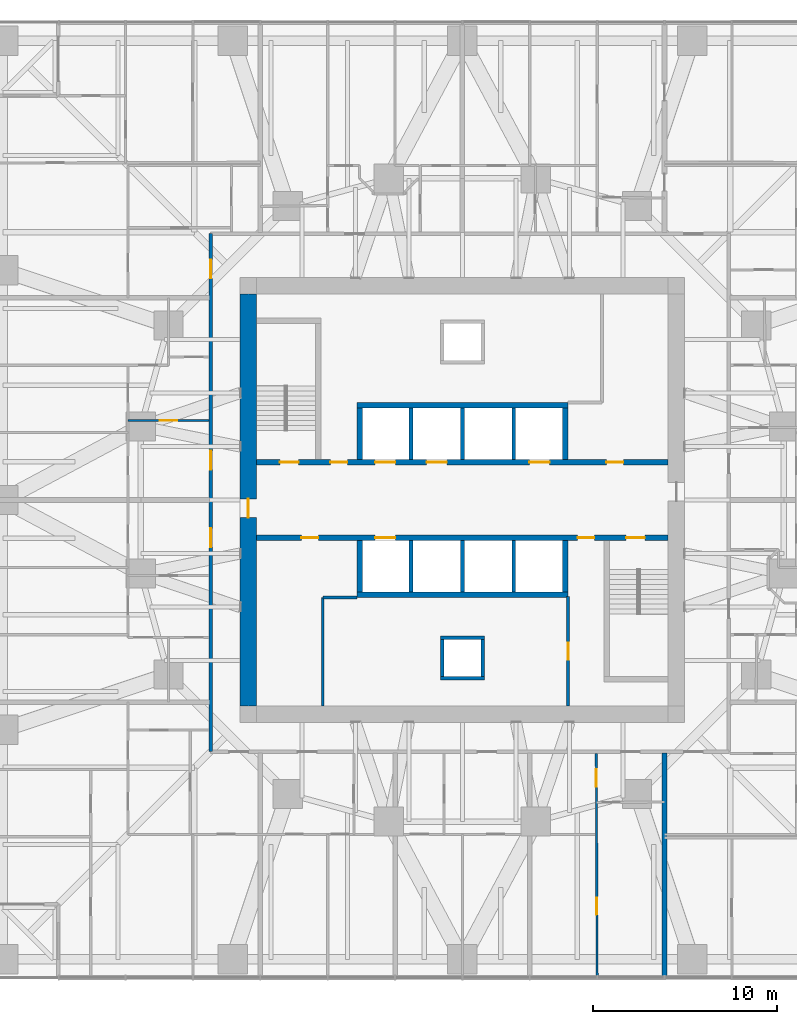
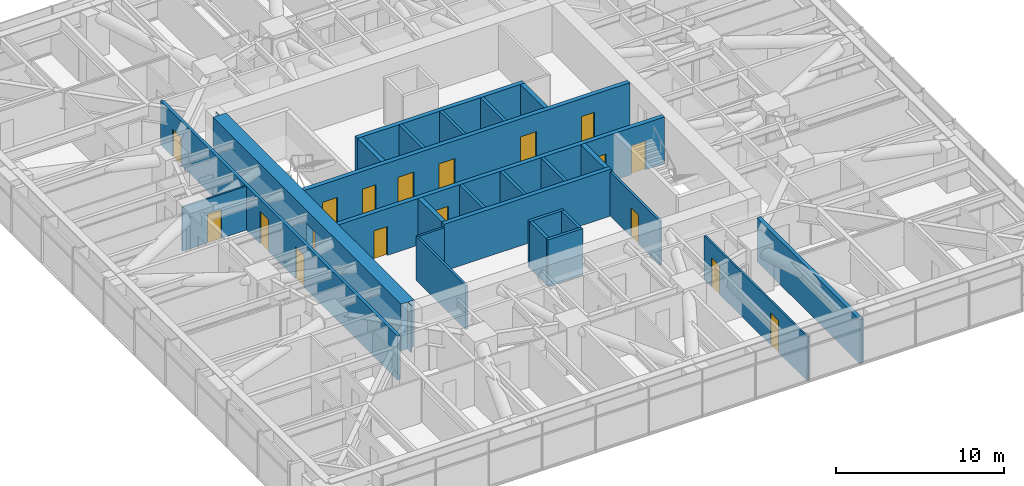
# One storey, part 11 of 17: 26 walls, 18 doors, 18 openings.
"""IFC4 building model written with IfcOpenShell, lengths in metres."""

from ifc_helpers import new_model, si_unit, direction, frame, frame_2d, origin, place, context, subcontext, project, spatial, polyline, rectangle, outline, extrude, material, layer, layer_set, type_object, element, fill, save


model = new_model("IFC4")

# Units and contexts
model_context = context("Model", 3, precision=1e-05, world=origin(), true_north=direction((0.0, 1.0)))
body_context = subcontext(model_context, "Body", "Model", "MODEL_VIEW")
ifc_project = project(units=[si_unit("LENGTHUNIT", "METRE"), si_unit("AREAUNIT", "SQUARE_METRE"), si_unit("VOLUMEUNIT", "CUBIC_METRE"), si_unit("PLANEANGLEUNIT", "RADIAN"), si_unit("MASSUNIT", "GRAM", prefix="KILO")], contexts=[model_context])

# Site, building, storey
site_placement = place(None, origin())
site = spatial("IfcSite", under=ifc_project, at=site_placement, CompositionType="ELEMENT")
building_placement = place(site_placement, origin())
building = spatial("IfcBuilding", under=site, at=building_placement, Name="Torsade Residences", CompositionType="ELEMENT")
storey_placement = place(building_placement, frame((0.0, 0.0, 38.800048828125)))
storey = spatial("IfcBuildingStorey", under=building, at=storey_placement, Name="L10", CompositionType="ELEMENT", Elevation=38.800048828125)

# Wall, openings, doors
ifc_material_1 = material(Name="Concrete 80 MPa", Category="concrete")
ifc_layer_1 = layer(ifc_material_1, 0.300048828125)
ifc_layer_set_1 = layer_set([ifc_layer_1], Name="Concrete 80 MPa")
wall_type_1 = type_object("IfcWallType", Name="CORE INTERNAL WALL 300", PredefinedType="SHEAR", material=ifc_layer_set_1)
wall_1_placement = place(storey_placement, frame((28.800048828125, 32.050048828125, 0.0), z_axis=(0.0, 0.0, 1.0), x_axis=(1.0, 0.0, 0.0)))
wall_1 = element("IfcWall", 1, at=wall_1_placement, inside=storey, type_object=wall_type_1, Name="Core wall LN L10", PredefinedType="SHEAR", context=body_context, shape_type="SweptSolid", body=[
    extrude(rectangle(XDim=22.39990234375, YDim=0.300048828125, at=frame_2d((11.199951171875, 0.0))), origin(), (0.0, 0.0, 1.0), 3.39990234375),
])
opening_1_placement = place(wall_1_placement, frame((19.0400390625, 0.0, 0.0)))
opening_1 = element("IfcOpeningElement", 2, at=opening_1_placement, cuts=wall_1, Name="Opening D06", PredefinedType="OPENING", context=body_context, shape_type="SweptSolid", body=[
    extrude(rectangle(XDim=0.919921875, YDim=2.10009765625, at=frame_2d((0.4599609375, 1.050048828125))), frame((0.0, 0.159912109375, 0.0), z_axis=(0.0, -1.0, 0.0), x_axis=(1.0, 0.0, 0.0)), (0.0, 0.0, 1.0), 0.320068359375),
])
opening_2_placement = place(wall_1_placement, frame((1.264892578125, 0.0, 0.0)))
opening_2 = element("IfcOpeningElement", 3, at=opening_2_placement, cuts=wall_1, Name="Opening D03", PredefinedType="OPENING", context=body_context, shape_type="SweptSolid", body=[
    extrude(rectangle(XDim=1.02001953125, YDim=2.10009765625, at=frame_2d((0.510009765625, 1.050048828125))), frame((0.0, 0.159912109375, 0.0), z_axis=(0.0, -1.0, 0.0), x_axis=(1.0, 0.0, 0.0)), (0.0, 0.0, 1.0), 0.320068359375),
])
opening_3_placement = place(wall_1_placement, frame((4.014892578125, 0.0, 0.0)))
opening_3 = element("IfcOpeningElement", 4, at=opening_3_placement, cuts=wall_1, Name="Opening D06", PredefinedType="OPENING", context=body_context, shape_type="SweptSolid", body=[
    extrude(rectangle(XDim=0.919921875, YDim=2.10009765625, at=frame_2d((0.4599609375, 1.050048828125))), frame((0.0, 0.159912109375, 0.0), z_axis=(0.0, -1.0, 0.0), x_axis=(1.0, 0.0, 0.0)), (0.0, 0.0, 1.0), 0.320068359375),
])
opening_4_placement = place(wall_1_placement, frame((6.449951171875, 0.0, 0.0)))
opening_4 = element("IfcOpeningElement", 5, at=opening_4_placement, cuts=wall_1, Name="Opening LD", PredefinedType="OPENING", context=body_context, shape_type="SweptSolid", body=[
    extrude(rectangle(XDim=1.10009765625, YDim=2.10009765625, at=frame_2d((0.550048828125, 1.050048828125))), frame((0.0, 0.159912109375, 0.0), z_axis=(0.0, -1.0, 0.0), x_axis=(1.0, 0.0, 0.0)), (0.0, 0.0, 1.0), 0.320068359375),
])
opening_5_placement = place(wall_1_placement, frame((9.25, 0.0, 0.0)))
opening_5 = element("IfcOpeningElement", 6, at=opening_5_placement, cuts=wall_1, Name="Opening LD", PredefinedType="OPENING", context=body_context, shape_type="SweptSolid", body=[
    extrude(rectangle(XDim=1.10009765625, YDim=2.10009765625, at=frame_2d((0.550048828125, 1.050048828125))), frame((0.0, 0.159912109375, 0.0), z_axis=(0.0, -1.0, 0.0), x_axis=(1.0, 0.0, 0.0)), (0.0, 0.0, 1.0), 0.320068359375),
])
opening_6_placement = place(wall_1_placement, frame((14.85009765625, 0.0, 0.0)))
opening_6 = element("IfcOpeningElement", 7, at=opening_6_placement, cuts=wall_1, Name="Opening LD", PredefinedType="OPENING", context=body_context, shape_type="SweptSolid", body=[
    extrude(rectangle(XDim=1.10009765625, YDim=2.10009765625, at=frame_2d((0.550048828125, 1.050048828125))), frame((0.0, 0.159912109375, 0.0), z_axis=(0.0, -1.0, 0.0), x_axis=(1.0, 0.0, 0.0)), (0.0, 0.0, 1.0), 0.320068359375),
])
ifc_material_2 = material(Name="Steel-framed fire door", Category="steel")
door_type_1 = type_object("IfcDoorType", Name="FIRE DOOR 1020", OperationType="NOTDEFINED", PredefinedType="DOOR", material=ifc_material_2)
door_1_placement = place(opening_2_placement, origin())
door_1 = element("IfcDoor", 8, at=door_1_placement, inside=storey, type_object=door_type_1, Name="Exit door to fire-isolated stair ST1 L10", OperationType="SINGLE_SWING_RIGHT", OverallHeight=2.10009765625, OverallWidth=1.02001953125, PredefinedType="DOOR", context=body_context, shape_type="SweptSolid", body=[
    extrude(rectangle(XDim=1.02001953125, YDim=2.10009765625, at=frame_2d((0.510009765625, 1.050048828125))), frame((0.0, 0.02490234375, 0.0), z_axis=(0.0, -1.0, 0.0), x_axis=(1.0, 0.0, 0.0)), (0.0, 0.0, 1.0), 0.050048828125),
])
fill(opening_2, door_1)
ifc_material_3 = material(Name="Steel-framed fire door", Category="steel")
door_type_2 = type_object("IfcDoorType", Name="FIRE DOOR 920", OperationType="NOTDEFINED", PredefinedType="DOOR", material=ifc_material_3)
door_2_placement = place(opening_1_placement, origin())
door_2 = element("IfcDoor", 9, at=door_2_placement, inside=storey, type_object=door_type_2, Name="Door Lift lobby to Refuse room", OperationType="SINGLE_SWING_LEFT", OverallHeight=2.10009765625, OverallWidth=0.919921875, PredefinedType="DOOR", context=body_context, shape_type="SweptSolid", body=[
    extrude(rectangle(XDim=0.919921875, YDim=2.10009765625, at=frame_2d((0.4599609375, 1.050048828125))), frame((0.0, 0.02490234375, 0.0), z_axis=(0.0, -1.0, 0.0), x_axis=(1.0, 0.0, 0.0)), (0.0, 0.0, 1.0), 0.050048828125),
])
fill(opening_1, door_2)
door_3_placement = place(opening_3_placement, origin())
door_3 = element("IfcDoor", 10, at=door_3_placement, inside=storey, type_object=door_type_2, Name="Door Lift lobby to Electrical riser room", OperationType="SINGLE_SWING_LEFT", OverallHeight=2.10009765625, OverallWidth=0.919921875, PredefinedType="DOOR", context=body_context, shape_type="SweptSolid", body=[
    extrude(rectangle(XDim=0.919921875, YDim=2.10009765625, at=frame_2d((0.4599609375, 1.050048828125))), frame((0.0, 0.02490234375, 0.0), z_axis=(0.0, -1.0, 0.0), x_axis=(1.0, 0.0, 0.0)), (0.0, 0.0, 1.0), 0.050048828125),
])
fill(opening_3, door_3)
ifc_material_4 = material(Name="Stainless steel lift landing door", Category="steel")
door_type_3 = type_object("IfcDoorType", Name="LIFT LANDING DOOR 1100", OperationType="SLIDING_TO_LEFT", PredefinedType="DOOR", material=ifc_material_4)
door_4_placement = place(opening_4_placement, origin())
door_4 = element("IfcDoor", 11, at=door_4_placement, inside=storey, type_object=door_type_3, Name="Lift LA1 landing door L10", OperationType="SLIDING_TO_LEFT", OverallHeight=2.10009765625, OverallWidth=1.10009765625, PredefinedType="DOOR", context=body_context, shape_type="SweptSolid", body=[
    extrude(rectangle(XDim=1.10009765625, YDim=2.10009765625, at=frame_2d((0.550048828125, 1.050048828125))), frame((0.0, 0.02490234375, 0.0), z_axis=(0.0, -1.0, 0.0), x_axis=(1.0, 0.0, 0.0)), (0.0, 0.0, 1.0), 0.050048828125),
])
fill(opening_4, door_4)
door_5_placement = place(opening_5_placement, origin())
door_5 = element("IfcDoor", 12, at=door_5_placement, inside=storey, type_object=door_type_3, Name="Lift LA2 landing door L10", OperationType="SLIDING_TO_LEFT", OverallHeight=2.10009765625, OverallWidth=1.10009765625, PredefinedType="DOOR", context=body_context, shape_type="SweptSolid", body=[
    extrude(rectangle(XDim=1.10009765625, YDim=2.10009765625, at=frame_2d((0.550048828125, 1.050048828125))), frame((0.0, 0.02490234375, 0.0), z_axis=(0.0, -1.0, 0.0), x_axis=(1.0, 0.0, 0.0)), (0.0, 0.0, 1.0), 0.050048828125),
])
fill(opening_5, door_5)
door_6_placement = place(opening_6_placement, origin())
door_6 = element("IfcDoor", 13, at=door_6_placement, inside=storey, type_object=door_type_3, Name="Lift FL1 landing door L10", OperationType="SLIDING_TO_LEFT", OverallHeight=2.10009765625, OverallWidth=1.10009765625, PredefinedType="DOOR", context=body_context, shape_type="SweptSolid", body=[
    extrude(rectangle(XDim=1.10009765625, YDim=2.10009765625, at=frame_2d((0.550048828125, 1.050048828125))), frame((0.0, 0.02490234375, 0.0), z_axis=(0.0, -1.0, 0.0), x_axis=(1.0, 0.0, 0.0)), (0.0, 0.0, 1.0), 0.050048828125),
])
fill(opening_6, door_6)

wall_2_placement = place(storey_placement, frame((51.199951171875, 27.949951171875, 0.0), z_axis=(0.0, 0.0, 1.0), x_axis=(-1.0, 0.0, 0.0)))
wall_2 = element("IfcWall", 14, at=wall_2_placement, inside=storey, type_object=wall_type_1, Name="Core wall LS L10", PredefinedType="SHEAR", context=body_context, shape_type="SweptSolid", body=[
    extrude(rectangle(XDim=22.39990234375, YDim=0.300048828125, at=frame_2d((11.199951171875, 0.0))), origin(), (0.0, 0.0, 1.0), 3.39990234375),
])
opening_7_placement = place(wall_2_placement, frame((19.0400390625, 0.0, 0.0)))
opening_7 = element("IfcOpeningElement", 15, at=opening_7_placement, cuts=wall_2, Name="Opening D06", PredefinedType="OPENING", context=body_context, shape_type="SweptSolid", body=[
    extrude(rectangle(XDim=0.919921875, YDim=2.10009765625, at=frame_2d((0.4599609375, 1.050048828125))), frame((0.0, 0.159912109375, 0.0), z_axis=(0.0, -1.0, 0.0), x_axis=(1.0, 0.0, 0.0)), (0.0, 0.0, 1.0), 0.320068359375),
])
opening_8_placement = place(wall_2_placement, frame((1.264892578125, 0.0, 0.0)))
opening_8 = element("IfcOpeningElement", 16, at=opening_8_placement, cuts=wall_2, Name="Opening D03", PredefinedType="OPENING", context=body_context, shape_type="SweptSolid", body=[
    extrude(rectangle(XDim=1.02001953125, YDim=2.10009765625, at=frame_2d((0.510009765625, 1.050048828125))), frame((0.0, 0.159912109375, 0.0), z_axis=(0.0, -1.0, 0.0), x_axis=(1.0, 0.0, 0.0)), (0.0, 0.0, 1.0), 0.320068359375),
])
opening_9_placement = place(wall_2_placement, frame((4.014892578125, 0.0, 0.0)))
opening_9 = element("IfcOpeningElement", 17, at=opening_9_placement, cuts=wall_2, Name="Opening D06", PredefinedType="OPENING", context=body_context, shape_type="SweptSolid", body=[
    extrude(rectangle(XDim=0.919921875, YDim=2.10009765625, at=frame_2d((0.4599609375, 1.050048828125))), frame((0.0, 0.159912109375, 0.0), z_axis=(0.0, -1.0, 0.0), x_axis=(1.0, 0.0, 0.0)), (0.0, 0.0, 1.0), 0.320068359375),
])
opening_10_placement = place(wall_2_placement, frame((14.85009765625, 0.0, 0.0)))
opening_10 = element("IfcOpeningElement", 18, at=opening_10_placement, cuts=wall_2, Name="Opening LD", PredefinedType="OPENING", context=body_context, shape_type="SweptSolid", body=[
    extrude(rectangle(XDim=1.10009765625, YDim=2.10009765625, at=frame_2d((0.550048828125, 1.050048828125))), frame((0.0, 0.159912109375, 0.0), z_axis=(0.0, -1.0, 0.0), x_axis=(1.0, 0.0, 0.0)), (0.0, 0.0, 1.0), 0.320068359375),
])
door_7_placement = place(opening_8_placement, origin())
door_7 = element("IfcDoor", 19, at=door_7_placement, inside=storey, type_object=door_type_1, Name="Exit door to fire-isolated stair ST2 L10", OperationType="SINGLE_SWING_RIGHT", OverallHeight=2.10009765625, OverallWidth=1.02001953125, PredefinedType="DOOR", context=body_context, shape_type="SweptSolid", body=[
    extrude(rectangle(XDim=1.02001953125, YDim=2.10009765625, at=frame_2d((0.510009765625, 1.050048828125))), frame((0.0, 0.02490234375, 0.0), z_axis=(0.0, -1.0, 0.0), x_axis=(1.0, 0.0, 0.0)), (0.0, 0.0, 1.0), 0.050048828125),
])
fill(opening_8, door_7)
door_8_placement = place(opening_7_placement, origin())
door_8 = element("IfcDoor", 20, at=door_8_placement, inside=storey, type_object=door_type_2, Name="Door Lift lobby to Cleaner store", OperationType="SINGLE_SWING_LEFT", OverallHeight=2.10009765625, OverallWidth=0.919921875, PredefinedType="DOOR", context=body_context, shape_type="SweptSolid", body=[
    extrude(rectangle(XDim=0.919921875, YDim=2.10009765625, at=frame_2d((0.4599609375, 1.050048828125))), frame((0.0, 0.02490234375, 0.0), z_axis=(0.0, -1.0, 0.0), x_axis=(1.0, 0.0, 0.0)), (0.0, 0.0, 1.0), 0.050048828125),
])
fill(opening_7, door_8)
door_9_placement = place(opening_9_placement, origin())
door_9 = element("IfcDoor", 21, at=door_9_placement, inside=storey, type_object=door_type_2, Name="Door Lift lobby to Security and data store", OperationType="SINGLE_SWING_RIGHT", OverallHeight=2.10009765625, OverallWidth=0.919921875, PredefinedType="DOOR", context=body_context, shape_type="SweptSolid", body=[
    extrude(rectangle(XDim=0.919921875, YDim=2.10009765625, at=frame_2d((0.4599609375, 1.050048828125))), frame((0.0, 0.02490234375, 0.0), z_axis=(0.0, -1.0, 0.0), x_axis=(1.0, 0.0, 0.0)), (0.0, 0.0, 1.0), 0.050048828125),
])
fill(opening_9, door_9)
door_10_placement = place(opening_10_placement, origin())
door_10 = element("IfcDoor", 22, at=door_10_placement, inside=storey, type_object=door_type_3, Name="Lift FL2 landing door L10", OperationType="SLIDING_TO_LEFT", OverallHeight=2.10009765625, OverallWidth=1.10009765625, PredefinedType="DOOR", context=body_context, shape_type="SweptSolid", body=[
    extrude(rectangle(XDim=1.10009765625, YDim=2.10009765625, at=frame_2d((0.550048828125, 1.050048828125))), frame((0.0, 0.02490234375, 0.0), z_axis=(0.0, -1.0, 0.0), x_axis=(1.0, 0.0, 0.0)), (0.0, 0.0, 1.0), 0.050048828125),
])
fill(opening_10, door_10)

# Walls
for number, where, z_axis, x_axis, name in (
    (23, (34.25, 35.14990234375, 0.0), (0.0, 0.0, 1.0), (1.0, 0.0, 0.0), "Core wall BN L10"),
    (24, (45.75, 24.85009765625, 0.0), (0.0, 0.0, 1.0), (-1.0, 0.0, 0.0), "Core wall BS L10"),
):
    element("IfcWall", number, at=place(storey_placement, frame(where, z_axis=z_axis, x_axis=x_axis)), inside=storey, type_object=wall_type_1, Name=name, PredefinedType="SHEAR", context=body_context, shape_type="SweptSolid", body=[
        extrude(rectangle(XDim=11.5, YDim=0.300048828125, at=frame_2d((5.75, 0.0))), origin(), (0.0, 0.0, 1.0), 3.39990234375),
    ])
for number, where, z_axis, x_axis, name in (
    (25, (34.39990234375, 32.199951171875, 0.0), (0.0, 0.0, 1.0), (0.0, 1.0, 0.0), "Core wall DN0 L10"),
    (26, (45.60009765625, 27.800048828125, 0.0), (0.0, 0.0, 1.0), (0.0, -1.0, 0.0), "Core wall DS0 L10"),
    (27, (45.60009765625, 32.199951171875, 0.0), (0.0, 0.0, 1.0), (0.0, 1.0, 0.0), "Core wall DN4 L10"),
    (28, (34.39990234375, 27.800048828125, 0.0), (0.0, 0.0, 1.0), (0.0, -1.0, 0.0), "Core wall DS4 L10"),
):
    element("IfcWall", number, at=place(storey_placement, frame(where, z_axis=z_axis, x_axis=x_axis)), inside=storey, type_object=wall_type_1, Name=name, PredefinedType="SHEAR", context=body_context, shape_type="SweptSolid", body=[
        extrude(rectangle(XDim=2.800048828125, YDim=0.300048828125, at=frame_2d((1.39990234375, 0.0))), origin(), (0.0, 0.0, 1.0), 3.39990234375),
    ])

# Wall, opening, door
ifc_material_5 = material(Name="Concrete 80 MPa", Category="concrete")
ifc_layer_2 = layer(ifc_material_5, 0.89990234375)
ifc_layer_set_2 = layer_set([ifc_layer_2], Name="Concrete 80 MPa")
wall_type_2 = type_object("IfcWallType", Name="CORE WALL 900", PredefinedType="SHEAR", material=ifc_layer_set_2)
wall_3_placement = place(storey_placement, frame((28.35009765625, 41.199951171875, 0.0), z_axis=(0.0, 0.0, 1.0), x_axis=(0.0, -1.0, 0.0)))
wall_3 = element("IfcWall", 29, at=wall_3_placement, inside=storey, type_object=wall_type_2, Name="Core wall W L10", PredefinedType="SHEAR", context=body_context, shape_type="SweptSolid", body=[
    extrude(outline(polyline([(0.0, -0.449951171875), (22.39990234375, -0.449951171875), (22.39990234375, -0.02490234375), (22.849853515625, -0.02490234375), (22.849853515625, 0.02490234375), (22.39990234375, 0.02490234375), (22.39990234375, 0.449951171875), (0.0, 0.449951171875), (0.0, 0.02490234375), (-0.449951171875, 0.02490234375), (-0.449951171875, -0.02490234375), (0.0, -0.02490234375), (0.0, -0.449951171875)])), origin(), (0.0, 0.0, 1.0), 3.39990234375),
])
opening_11_placement = place(wall_3_placement, frame((11.139892578125, 0.0, 0.0)))
opening_11 = element("IfcOpeningElement", 30, at=opening_11_placement, cuts=wall_3, Name="Opening D04", PredefinedType="OPENING", context=body_context, shape_type="SweptSolid", body=[
    extrude(rectangle(XDim=1.02001953125, YDim=2.39990234375, at=frame_2d((0.510009765625, 1.199951171875))), frame((0.0, 0.4599609375, 0.0), z_axis=(0.0, -1.0, 0.0), x_axis=(1.0, 0.0, 0.0)), (0.0, 0.0, 1.0), 0.919921875),
])
ifc_material_6 = material(Name="Steel-framed fire door", Category="steel")
door_type_4 = type_object("IfcDoorType", Name="LOBBY SMOKE DOOR 1020x2400", OperationType="NOTDEFINED", PredefinedType="DOOR", material=ifc_material_6)
door_11_placement = place(opening_11_placement, origin())
door_11 = element("IfcDoor", 31, at=door_11_placement, inside=storey, type_object=door_type_4, Name="Lift lobby door W L10", OperationType="SINGLE_SWING_RIGHT", OverallHeight=2.39990234375, OverallWidth=1.02001953125, PredefinedType="DOOR", context=body_context, shape_type="SweptSolid", body=[
    extrude(rectangle(XDim=1.02001953125, YDim=2.39990234375, at=frame_2d((0.510009765625, 1.199951171875))), frame((0.0, 0.02490234375, 0.0), z_axis=(0.0, -1.0, 0.0), x_axis=(1.0, 0.0, 0.0)), (0.0, 0.0, 1.0), 0.050048828125),
])
fill(opening_11, door_11)

# Wall, openings, doors
ifc_material_7 = material(Name="Plasterboard on steel stud", Category="steel")
ifc_layer_3 = layer(ifc_material_7, 0.199951171875)
ifc_layer_set_3 = layer_set([ifc_layer_3], Name="Plasterboard on steel stud")
wall_type_3 = type_object("IfcWallType", Name="CORRIDOR WALL 200", PredefinedType="PARTITIONING", material=ifc_layer_set_3)
wall_4_placement = place(storey_placement, frame((26.300048828125, 44.5, 0.0), z_axis=(0.0, 0.0, 1.0), x_axis=(0.0, -1.0, 0.0)))
wall_4 = element("IfcWall", 32, at=wall_4_placement, inside=storey, type_object=wall_type_3, Name="Corridor wall L10", PredefinedType="PARTITIONING", context=body_context, shape_type="SweptSolid", body=[
    extrude(rectangle(XDim=28.199951171875, YDim=0.199951171875, at=frame_2d((14.10009765625, 0.0))), origin(), (0.0, 0.0, 1.0), 3.199951171875),
])
opening_12_placement = place(wall_4_placement, frame((11.825927734375, 0.0, 0.0)))
opening_12 = element("IfcOpeningElement", 33, at=opening_12_placement, cuts=wall_4, Name="Opening D01", PredefinedType="OPENING", context=body_context, shape_type="SweptSolid", body=[
    extrude(rectangle(XDim=1.02001953125, YDim=2.340087890625, at=frame_2d((0.510009765625, 1.169921875))), frame((0.0, 0.10986328125, 0.0), z_axis=(0.0, -1.0, 0.0), x_axis=(1.0, 0.0, 0.0)), (0.0, 0.0, 1.0), 0.219970703125),
])
opening_13_placement = place(wall_4_placement, frame((16.04833984375, 0.0, 0.0)))
opening_13 = element("IfcOpeningElement", 34, at=opening_13_placement, cuts=wall_4, Name="Opening D01", PredefinedType="OPENING", context=body_context, shape_type="SweptSolid", body=[
    extrude(rectangle(XDim=1.02001953125, YDim=2.340087890625, at=frame_2d((0.510009765625, 1.169921875))), frame((0.0, 0.10986328125, 0.0), z_axis=(0.0, -1.0, 0.0), x_axis=(1.0, 0.0, 0.0)), (0.0, 0.0, 1.0), 0.219970703125),
])
opening_14_placement = place(wall_4_placement, frame((1.414794921875, 0.0, 0.0)))
opening_14 = element("IfcOpeningElement", 35, at=opening_14_placement, cuts=wall_4, Name="Opening D01N", PredefinedType="OPENING", context=body_context, shape_type="SweptSolid", body=[
    extrude(rectangle(XDim=1.02001953125, YDim=2.0, at=frame_2d((0.510009765625, 1.0))), frame((0.0, 0.10986328125, 0.0), z_axis=(0.0, -1.0, 0.0), x_axis=(1.0, 0.0, 0.0)), (0.0, 0.0, 1.0), 0.219970703125),
])
ifc_material_8 = material(Name="Solid-core timber fire door", Category="wood")
door_type_5 = type_object("IfcDoorType", Name="APARTMENT ENTRY DOOR 1020x2000", OperationType="NOTDEFINED", PredefinedType="DOOR", material=ifc_material_8)
door_12_placement = place(opening_14_placement, origin())
door_12 = element("IfcDoor", 36, at=door_12_placement, inside=storey, type_object=door_type_5, Name="Door Residential corridor to Kitchen and dining", OperationType="SINGLE_SWING_LEFT", OverallHeight=2.0, OverallWidth=1.02001953125, PredefinedType="DOOR", context=body_context, shape_type="SweptSolid", body=[
    extrude(rectangle(XDim=1.02001953125, YDim=2.0, at=frame_2d((0.510009765625, 1.0))), frame((0.0, 0.02490234375, 0.0), z_axis=(0.0, -1.0, 0.0), x_axis=(1.0, 0.0, 0.0)), (0.0, 0.0, 1.0), 0.050048828125),
])
fill(opening_14, door_12)
ifc_material_9 = material(Name="Solid-core timber fire door", Category="wood")
door_type_6 = type_object("IfcDoorType", Name="APARTMENT ENTRY DOOR 1020x2340", OperationType="NOTDEFINED", PredefinedType="DOOR", material=ifc_material_9)
door_13_placement = place(opening_12_placement, origin())
door_13 = element("IfcDoor", 37, at=door_13_placement, inside=storey, type_object=door_type_6, Name="Door Residential corridor to Kitchen and dining", OperationType="SINGLE_SWING_LEFT", OverallHeight=2.340087890625, OverallWidth=1.02001953125, PredefinedType="DOOR", context=body_context, shape_type="SweptSolid", body=[
    extrude(rectangle(XDim=1.02001953125, YDim=2.340087890625, at=frame_2d((0.510009765625, 1.169921875))), frame((0.0, 0.02490234375, 0.0), z_axis=(0.0, -1.0, 0.0), x_axis=(1.0, 0.0, 0.0)), (0.0, 0.0, 1.0), 0.050048828125),
])
fill(opening_12, door_13)
door_14_placement = place(opening_13_placement, origin())
door_14 = element("IfcDoor", 38, at=door_14_placement, inside=storey, type_object=door_type_6, Name="Door Residential corridor to Kitchen and dining", OperationType="SINGLE_SWING_RIGHT", OverallHeight=2.340087890625, OverallWidth=1.02001953125, PredefinedType="DOOR", context=body_context, shape_type="SweptSolid", body=[
    extrude(rectangle(XDim=1.02001953125, YDim=2.340087890625, at=frame_2d((0.510009765625, 1.169921875))), frame((0.0, 0.02490234375, 0.0), z_axis=(0.0, -1.0, 0.0), x_axis=(1.0, 0.0, 0.0)), (0.0, 0.0, 1.0), 0.050048828125),
])
fill(opening_13, door_14)

# Walls
ifc_material_10 = material(Name="Reinforced blockwork", Category="masonry")
ifc_layer_4 = layer(ifc_material_10, 0.199951171875)
ifc_layer_set_4 = layer_set([ifc_layer_4], Name="Reinforced blockwork")
wall_type_4 = type_object("IfcWallType", Name="LIFT SHAFT DIVIDING WALL 200", PredefinedType="SOLIDWALL", material=ifc_layer_set_4)
for number, where, z_axis, x_axis, name in (
    (39, (37.199951171875, 32.199951171875, 0.0), (0.0, 0.0, 1.0), (0.0, 1.0, 0.0), "Core wall DN1 L10"),
    (40, (42.800048828125, 27.800048828125, 0.0), (0.0, 0.0, 1.0), (0.0, -1.0, 0.0), "Core wall DS1 L10"),
    (41, (40.0, 32.199951171875, 0.0), (0.0, 0.0, 1.0), (0.0, 1.0, 0.0), "Core wall DN2 L10"),
    (42, (40.0, 27.800048828125, 0.0), (0.0, 0.0, 1.0), (0.0, -1.0, 0.0), "Core wall DS2 L10"),
    (43, (42.800048828125, 32.199951171875, 0.0), (0.0, 0.0, 1.0), (0.0, 1.0, 0.0), "Core wall DN3 L10"),
    (44, (37.199951171875, 27.800048828125, 0.0), (0.0, 0.0, 1.0), (0.0, -1.0, 0.0), "Core wall DS3 L10"),
):
    element("IfcWall", number, at=place(storey_placement, frame(where, z_axis=z_axis, x_axis=x_axis)), inside=storey, type_object=wall_type_4, Name=name, PredefinedType="SOLIDWALL", context=body_context, shape_type="SweptSolid", body=[
        extrude(rectangle(XDim=2.800048828125, YDim=0.199951171875, at=frame_2d((1.39990234375, 0.0))), origin(), (0.0, 0.0, 1.0), 3.39990234375),
    ])

# Wall, openings, doors
ifc_material_11 = material(Name="Plasterboard on steel stud", Category="steel")
ifc_layer_5 = layer(ifc_material_11, 0.1201171875)
ifc_layer_set_5 = layer_set([ifc_layer_5], Name="Plasterboard on steel stud")
wall_type_5 = type_object("IfcWallType", Name="PARTITION 120", PredefinedType="PARTITIONING", material=ifc_layer_set_5)
wall_5_placement = place(storey_placement, frame((47.333251953125, 4.0400390625, 0.0), z_axis=(0.0, 0.0, 1.0), x_axis=(-0.003834774141, 0.999992647227, 0.0)))
wall_5 = element("IfcWall", 45, at=wall_5_placement, inside=storey, type_object=wall_type_5, Name="Partition L10", PredefinedType="PARTITIONING", context=body_context, shape_type="SweptSolid", body=[
    extrude(rectangle(XDim=12.159912109375, YDim=0.1201171875, at=frame_2d((6.080078125, 0.0))), origin(), (0.0, 0.0, 1.0), 3.199951171875),
])
opening_15_placement = place(wall_5_placement, frame((10.345458984375, 0.0, 0.0)))
opening_15 = element("IfcOpeningElement", 46, at=opening_15_placement, cuts=wall_5, Name="Opening D05", PredefinedType="OPENING", context=body_context, shape_type="SweptSolid", body=[
    extrude(rectangle(XDim=0.9599609375, YDim=2.10009765625, at=frame_2d((0.47998046875, 1.050048828125))), frame((0.0, 0.070068359375, 0.0), z_axis=(0.0, -1.0, 0.0), x_axis=(1.0, 0.0, 0.0)), (0.0, 0.0, 1.0), 0.14013671875),
])
opening_16_placement = place(wall_5_placement, frame((3.39990234375, 0.0, 0.0)))
opening_16 = element("IfcOpeningElement", 47, at=opening_16_placement, cuts=wall_5, Name="Opening D02", PredefinedType="OPENING", context=body_context, shape_type="SweptSolid", body=[
    extrude(rectangle(XDim=0.919921875, YDim=2.340087890625, at=frame_2d((0.4599609375, 1.169921875))), frame((0.0, 0.070068359375, 0.0), z_axis=(0.0, -1.0, 0.0), x_axis=(1.0, 0.0, 0.0)), (0.0, 0.0, 1.0), 0.14013671875),
])
ifc_material_12 = material(Name="Hollow-core timber door in a steel cavity frame", Category="steel")
door_type_7 = type_object("IfcDoorType", Name="BATHROOM CAVITY SLIDING DOOR 960", OperationType="SLIDING_TO_LEFT", PredefinedType="DOOR", material=ifc_material_12)
door_15_placement = place(opening_15_placement, origin())
door_15 = element("IfcDoor", 48, at=door_15_placement, inside=storey, type_object=door_type_7, Name="Door Kitchen and dining to Bathroom", OperationType="SLIDING_TO_LEFT", OverallHeight=2.10009765625, OverallWidth=0.9599609375, PredefinedType="DOOR", context=body_context, shape_type="SweptSolid", body=[
    extrude(rectangle(XDim=0.9599609375, YDim=2.10009765625, at=frame_2d((0.47998046875, 1.050048828125))), frame((0.0, 0.02490234375, 0.0), z_axis=(0.0, -1.0, 0.0), x_axis=(1.0, 0.0, 0.0)), (0.0, 0.0, 1.0), 0.050048828125),
])
fill(opening_15, door_15)
ifc_material_13 = material(Name="Hollow-core timber door", Category="wood")
door_type_8 = type_object("IfcDoorType", Name="INTERNAL DOOR 920x2340", OperationType="NOTDEFINED", PredefinedType="DOOR", material=ifc_material_13)
door_16_placement = place(opening_16_placement, origin())
door_16 = element("IfcDoor", 49, at=door_16_placement, inside=storey, type_object=door_type_8, Name="Door Living room to Bedroom 1", OperationType="SINGLE_SWING_RIGHT", OverallHeight=2.340087890625, OverallWidth=0.919921875, PredefinedType="DOOR", context=body_context, shape_type="SweptSolid", body=[
    extrude(rectangle(XDim=0.919921875, YDim=2.340087890625, at=frame_2d((0.4599609375, 1.169921875))), frame((0.0, 0.02490234375, 0.0), z_axis=(0.0, -1.0, 0.0), x_axis=(1.0, 0.0, 0.0)), (0.0, 0.0, 1.0), 0.050048828125),
])
fill(opening_16, door_16)

# Wall, opening, door
wall_6_placement = place(storey_placement, frame((21.800048828125, 34.328125, 0.0), z_axis=(0.0, 0.0, 1.0), x_axis=(1.0, 0.0, 0.0)))
wall_6 = element("IfcWall", 50, at=wall_6_placement, inside=storey, type_object=wall_type_5, Name="Partition L10", PredefinedType="PARTITIONING", context=body_context, shape_type="SweptSolid", body=[
    extrude(rectangle(XDim=4.39990234375, YDim=0.1201171875, at=frame_2d((2.199951171875, 0.0))), origin(), (0.0, 0.0, 1.0), 3.199951171875),
])
opening_17_placement = place(wall_6_placement, frame((1.719970703125, 0.0, 0.0)))
opening_17 = element("IfcOpeningElement", 51, at=opening_17_placement, cuts=wall_6, Name="Opening D05", PredefinedType="OPENING", context=body_context, shape_type="SweptSolid", body=[
    extrude(rectangle(XDim=0.9599609375, YDim=2.10009765625, at=frame_2d((0.47998046875, 1.050048828125))), frame((0.0, 0.070068359375, 0.0), z_axis=(0.0, -1.0, 0.0), x_axis=(1.0, 0.0, 0.0)), (0.0, 0.0, 1.0), 0.14013671875),
])
door_17_placement = place(opening_17_placement, origin())
door_17 = element("IfcDoor", 52, at=door_17_placement, inside=storey, type_object=door_type_7, Name="Door Kitchen and dining to Bathroom", OperationType="SLIDING_TO_LEFT", OverallHeight=2.10009765625, OverallWidth=0.9599609375, PredefinedType="DOOR", context=body_context, shape_type="SweptSolid", body=[
    extrude(rectangle(XDim=0.9599609375, YDim=2.10009765625, at=frame_2d((0.47998046875, 1.050048828125))), frame((0.0, 0.02490234375, 0.0), z_axis=(0.0, -1.0, 0.0), x_axis=(1.0, 0.0, 0.0)), (0.0, 0.0, 1.0), 0.050048828125),
])
fill(opening_17, door_17)

# Walls
ifc_material_14 = material(Name="Masonry-lined stud party wall", Category="masonry")
ifc_layer_6 = layer(ifc_material_14, 0.25)
ifc_layer_set_6 = layer_set([ifc_layer_6], Name="Masonry-lined stud party wall")
wall_type_6 = type_object("IfcWallType", Name="PARTY WALL 250", PredefinedType="PARTITIONING", material=ifc_layer_set_6)
wall_7_placement = place(storey_placement, frame((51.0, 4.0, 0.0), z_axis=(0.0, 0.0, 1.0), x_axis=(0.0, 1.0, 0.0)))
element("IfcWall", 53, at=wall_7_placement, inside=storey, type_object=wall_type_6, Name="Party wall L10", PredefinedType="PARTITIONING", context=body_context, shape_type="SweptSolid", body=[
    extrude(rectangle(XDim=12.239990234375, YDim=0.25, at=frame_2d((6.1201171875, 0.0))), origin(), (0.0, 0.0, 1.0), 3.199951171875),
])
ifc_material_15 = material(Name="Reinforced blockwork", Category="masonry")
ifc_layer_7 = layer(ifc_material_15, 0.199951171875)
ifc_layer_set_7 = layer_set([ifc_layer_7], Name="Reinforced blockwork")
wall_type_7 = type_object("IfcWallType", Name="RISER SHAFT WALL 200", PredefinedType="SOLIDWALL", material=ifc_layer_set_7)
for number, where, z_axis, x_axis, name in (
    (54, (38.89990234375, 22.39990234375, 0.0), (0.0, 0.0, 1.0), (0.0, -1.0, 0.0), "Core wall RS2a L10"),
    (55, (41.10009765625, 22.39990234375, 0.0), (0.0, 0.0, 1.0), (0.0, -1.0, 0.0), "Core wall RS2b L10"),
):
    element("IfcWall", number, at=place(storey_placement, frame(where, z_axis=z_axis, x_axis=x_axis)), inside=storey, type_object=wall_type_7, Name=name, PredefinedType="SOLIDWALL", context=body_context, shape_type="SweptSolid", body=[
        extrude(rectangle(XDim=2.0, YDim=0.199951171875, at=frame_2d((1.0, 0.0))), origin(), (0.0, 0.0, 1.0), 3.39990234375),
    ])
for number, where, z_axis, x_axis, name in (
    (56, (38.800048828125, 22.5, 0.0), (0.0, 0.0, 1.0), (1.0, 0.0, 0.0), "Core wall RS2c L10"),
    (57, (38.800048828125, 20.300048828125, 0.0), (0.0, 0.0, 1.0), (1.0, 0.0, 0.0), "Core wall RS2d L10"),
):
    element("IfcWall", number, at=place(storey_placement, frame(where, z_axis=z_axis, x_axis=x_axis)), inside=storey, type_object=wall_type_7, Name=name, PredefinedType="SOLIDWALL", context=body_context, shape_type="SweptSolid", body=[
        extrude(rectangle(XDim=2.39990234375, YDim=0.199951171875, at=frame_2d((1.199951171875, 0.0))), origin(), (0.0, 0.0, 1.0), 3.39990234375),
    ])

# Wall, opening, door
ifc_material_16 = material(Name="Reinforced blockwork", Category="masonry")
ifc_layer_8 = layer(ifc_material_16, 0.14990234375)
ifc_layer_set_8 = layer_set([ifc_layer_8], Name="Reinforced blockwork")
wall_type_8 = type_object("IfcWallType", Name="SERVICE ROOM WALL 150", PredefinedType="SOLIDWALL", material=ifc_layer_set_8)
wall_8_placement = place(storey_placement, frame((45.75, 18.800048828125, 0.0), z_axis=(0.0, 0.0, 1.0), x_axis=(0.0, 1.0, 0.0)))
wall_8 = element("IfcWall", 58, at=wall_8_placement, inside=storey, type_object=wall_type_8, Name="Service room wall L10", PredefinedType="SOLIDWALL", context=body_context, shape_type="SweptSolid", body=[
    extrude(rectangle(XDim=5.949951171875, YDim=0.14990234375, at=frame_2d((2.97509765625, 0.0))), origin(), (0.0, 0.0, 1.0), 3.199951171875),
])
opening_18_placement = place(wall_8_placement, frame((2.514892578125, 0.0, 0.0)))
opening_18 = element("IfcOpeningElement", 59, at=opening_18_placement, cuts=wall_8, Name="Opening D06", PredefinedType="OPENING", context=body_context, shape_type="SweptSolid", body=[
    extrude(rectangle(XDim=0.919921875, YDim=2.10009765625, at=frame_2d((0.4599609375, 1.050048828125))), frame((0.0, 0.0849609375, 0.0), z_axis=(0.0, -1.0, 0.0), x_axis=(1.0, 0.0, 0.0)), (0.0, 0.0, 1.0), 0.169921875),
])
door_18_placement = place(opening_18_placement, origin())
door_18 = element("IfcDoor", 60, at=door_18_placement, inside=storey, type_object=door_type_2, Name="Door Security and data store to Communications riser room", OperationType="SINGLE_SWING_LEFT", OverallHeight=2.10009765625, OverallWidth=0.919921875, PredefinedType="DOOR", context=body_context, shape_type="SweptSolid", body=[
    extrude(rectangle(XDim=0.919921875, YDim=2.10009765625, at=frame_2d((0.4599609375, 1.050048828125))), frame((0.0, 0.02490234375, 0.0), z_axis=(0.0, -1.0, 0.0), x_axis=(1.0, 0.0, 0.0)), (0.0, 0.0, 1.0), 0.050048828125),
])
fill(opening_18, door_18)

# Walls
wall_9_placement = place(storey_placement, frame((32.39990234375, 18.800048828125, 0.0), z_axis=(0.0, 0.0, 1.0), x_axis=(0.0, 1.0, 0.0)))
element("IfcWall", 61, at=wall_9_placement, inside=storey, type_object=wall_type_8, Name="Service room wall L10", PredefinedType="SOLIDWALL", context=body_context, shape_type="SweptSolid", body=[
    extrude(rectangle(XDim=5.89990234375, YDim=0.14990234375, at=frame_2d((2.949951171875, 0.0))), origin(), (0.0, 0.0, 1.0), 3.199951171875),
])
wall_10_placement = place(storey_placement, frame((32.39990234375, 24.699951171875, 0.0), z_axis=(0.0, 0.0, 1.0), x_axis=(1.0, 0.0, 0.0)))
element("IfcWall", 62, at=wall_10_placement, inside=storey, type_object=wall_type_8, Name="Service room wall L10", PredefinedType="SOLIDWALL", context=body_context, shape_type="SweptSolid", body=[
    extrude(rectangle(XDim=1.85009765625, YDim=0.14990234375, at=frame_2d((0.925048828125, 0.0))), origin(), (0.0, 0.0, 1.0), 3.199951171875),
])

save(model, "model.ifc")
